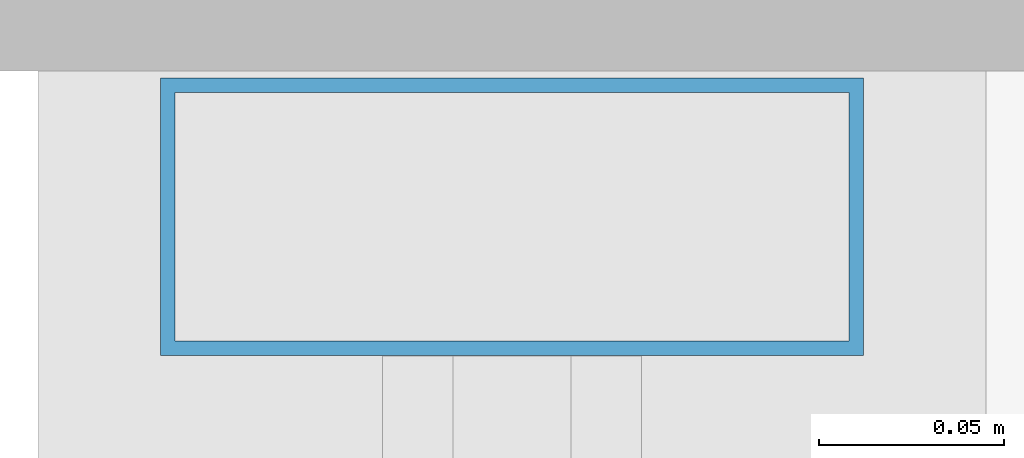
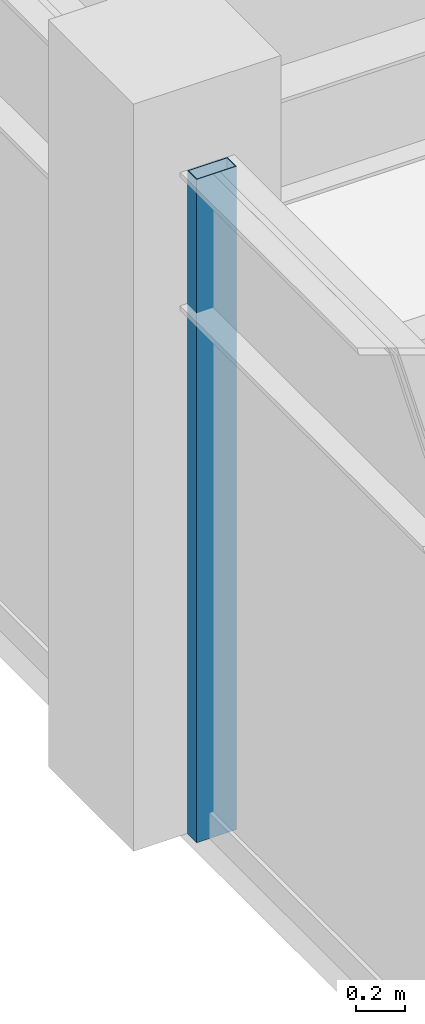
# One storey, part 8 of 31: 1 member, 1 element without a shape of its own.
"""IFC4 building model written with IfcOpenShell, lengths in metres."""

import ifcopenshell
import ifcopenshell.guid

model = None  # the IFC model being written
_history = None  # IfcOwnerHistory: only IFC2X3 demands one
_inside = {}  # id of a spatial element -> (the spatial element, [elements in it])
_under = {}  # id of a project, library or spatial element -> (it, [spatial elements below it])
_declared = {}  # id of a project -> (the project, [libraries it declares])
_typed = {}  # id of a type object -> (the type object, [elements of that type])
_made_of = {}  # id of a material, layer set ... -> (it, [elements and type objects made of it])


def new_model(schema):
    """Start an empty IFC model of exactly this schema.

    Asked for "IFC4X3", IfcOpenShell would pick the latest addendum, in which some entities
    have other attributes; the version numbers below select the first issue.
    IFC2X3 requires an IfcOwnerHistory on every rooted entity: one is made here for all.
    """
    global model, _history
    if schema == "IFC4X3":
        model = ifcopenshell.file(schema_version=(4, 3, 0, 0))
    else:
        model = ifcopenshell.file(schema=schema)
    _inside.clear()
    _under.clear()
    _declared.clear()
    _typed.clear()
    _made_of.clear()
    _history = None
    if model.schema == "IFC2X3":
        org = make("IfcOrganization", Name="unknown")
        user = make(
            "IfcPersonAndOrganization",
            ThePerson=make("IfcPerson", FamilyName="unknown"),
            TheOrganization=org,
        )
        app = make(
            "IfcApplication",
            ApplicationDeveloper=org,
            Version="unknown",
            ApplicationFullName="unknown",
            ApplicationIdentifier="unknown",
        )
        _history = make(
            "IfcOwnerHistory",
            OwningUser=user,
            OwningApplication=app,
            ChangeAction="ADDED",
            CreationDate=0,
        )
    return model


def make(cls, **values):
    """One entity of the class cls with the attributes given. An attribute that is None is left unset."""
    return model.create_entity(
        cls, **{name: value for name, value in values.items() if value is not None}
    )


def rooted(cls, **values):
    """An entity with a GlobalId (a new one), such as an element, a storey or a relation."""
    return make(cls, GlobalId=ifcopenshell.guid.new(), OwnerHistory=_history, **values)


def si_unit(unit_type, name, prefix=None):
    """IfcSIUnit, for example si_unit("LENGTHUNIT", "METRE", prefix="MILLI")."""
    return make("IfcSIUnit", UnitType=unit_type, Prefix=prefix, Name=name)


def assignment(units):
    """IfcUnitAssignment: the units of a project."""
    return None if units is None else make("IfcUnitAssignment", Units=units)


def point(xyz):
    """IfcCartesianPoint."""
    return None if xyz is None else make("IfcCartesianPoint", Coordinates=xyz)


def direction(xyz):
    """IfcDirection."""
    return None if xyz is None else make("IfcDirection", DirectionRatios=xyz)


def frame(location, z_axis=None, x_axis=None):
    """IfcAxis2Placement3D, a coordinate frame: its origin and axes. An axis left out is left unset."""
    return make(
        "IfcAxis2Placement3D",
        Location=point(location),
        Axis=direction(z_axis),
        RefDirection=direction(x_axis),
    )


def frame_2d(location, x_axis=None):
    """IfcAxis2Placement2D, a coordinate frame in the plane: its origin and x axis."""
    return make(
        "IfcAxis2Placement2D", Location=point(location), RefDirection=direction(x_axis)
    )


def origin():
    """The frame at (0, 0, 0) with its axes left unset."""
    return frame((0.0, 0.0, 0.0))


def origin_2d():
    """The frame at (0, 0) in the plane with its x axis left unset."""
    return frame_2d((0.0, 0.0))


def place(relative_to, where):
    """IfcLocalPlacement: puts the frame where relative to a parent placement (None: the world)."""
    return make(
        "IfcLocalPlacement", PlacementRelTo=relative_to, RelativePlacement=where
    )


def context(
    kind, dimensions, precision=None, world=None, true_north=None, identifier=None
):
    """IfcGeometricRepresentationContext, for example the 3D "Model" context."""
    return make(
        "IfcGeometricRepresentationContext",
        ContextIdentifier=identifier,
        ContextType=kind,
        CoordinateSpaceDimension=dimensions,
        Precision=precision,
        WorldCoordinateSystem=world,
        TrueNorth=true_north,
    )


def subcontext(parent, identifier, kind, view, scale=None):
    """IfcGeometricRepresentationSubContext, for example "Body" below "Model"."""
    return make(
        "IfcGeometricRepresentationSubContext",
        ContextIdentifier=identifier,
        ContextType=kind,
        ParentContext=parent,
        TargetScale=scale,
        TargetView=view,
    )


def project(units=None, contexts=None):
    """IfcProject with its units and contexts."""
    return rooted(
        "IfcProject",
        Name="project",
        RepresentationContexts=contexts,
        UnitsInContext=assignment(units),
    )


def spatial(cls, under=None, at=None, **own):
    """A site, building, storey or space (cls), placed at a placement, below another one or the project."""
    s = rooted(cls, ObjectPlacement=at, **own)
    if under is not None:
        _under.setdefault(under.id(), (under, []))[1].append(s)
    return s


def profile(cls, at=None, kind="AREA", **sizes):
    """A parametric profile (cls). Its sizes go by their IFC names, for example OverallWidth=200.0."""
    return make(cls, ProfileType=kind, Position=at, **sizes)


def hollow_rectangle(**sizes):
    """IfcRectangleHollowProfileDef."""
    return profile("IfcRectangleHollowProfileDef", **sizes)


def extrude(swept, where, along, depth):
    """IfcExtrudedAreaSolid: the profile swept, set in the frame where, extruded along a direction by depth."""
    return make(
        "IfcExtrudedAreaSolid",
        SweptArea=swept,
        Position=where,
        ExtrudedDirection=direction(along),
        Depth=depth,
    )


def shape(context_of_items, identifier, shape_type, items):
    """IfcShapeRepresentation: the items that make up one representation, for example the "Body"."""
    return make(
        "IfcShapeRepresentation",
        ContextOfItems=context_of_items,
        RepresentationIdentifier=identifier,
        RepresentationType=shape_type,
        Items=items,
    )


def material(Name=None, Category=None):
    """IfcMaterial."""
    return make("IfcMaterial", Name=Name, Category=Category)


def layer(
    of_material, thickness, ventilated=None, Name=None, Category=None, Priority=None
):
    """IfcMaterialLayer: one layer of a wall or slab, of a material (None: an air gap)."""
    return make(
        "IfcMaterialLayer",
        Material=of_material,
        LayerThickness=thickness,
        IsVentilated=ventilated,
        Name=Name,
        Category=Category,
        Priority=Priority,
    )


def layer_set(layers, Name=None):
    """IfcMaterialLayerSet."""
    return make("IfcMaterialLayerSet", MaterialLayers=layers, LayerSetName=Name)


def material_profile(
    of_material, cross_section, Name=None, Category=None, Priority=None
):
    """IfcMaterialProfile: a cross section and its material."""
    return make(
        "IfcMaterialProfile",
        Name=Name,
        Material=of_material,
        Profile=cross_section,
        Priority=Priority,
        Category=Category,
    )


def profile_set(profiles, Name=None, composite=None):
    """IfcMaterialProfileSet."""
    return make(
        "IfcMaterialProfileSet",
        Name=Name,
        MaterialProfiles=profiles,
        CompositeProfile=composite,
    )


def made_of(thing, what):
    """Note that an element or type object is made of a material, layer set ...; save() writes the relation."""
    if what is not None:
        _made_of.setdefault(what.id(), (what, []))[1].append(thing)
    return thing


def type_object(cls, material=None, **own):
    """A type object (cls), such as IfcWallType, which elements share."""
    return made_of(rooted(cls, **own), material)


def element(
    cls,
    number,
    at=None,
    inside=None,
    cuts=None,
    type_object=None,
    material=None,
    context=None,
    identifier="Body",
    shape_type=None,
    held_by="IfcProductDefinitionShape",
    body=None,
    shapes=None,
    **own,
):
    """One element of the class cls, such as IfcWall. Its Tag is "e" and its number.

    at: its placement. inside: the storey or other place that contains it. cuts: it is an
    opening in that element (IfcRelVoidsElement). A single representation is given by context,
    identifier, shape_type and body (its items); several are given by shapes. held_by: the class
    of the entity that holds the representations. save() writes the other relations.
    """
    e = rooted(cls, Tag="e%d" % number, ObjectPlacement=at, **own)
    if body is not None:
        shapes = [shape(context, identifier, shape_type, body)]
    if shapes is not None:
        e.Representation = make(held_by, Representations=shapes)
    if inside is not None:
        _inside.setdefault(inside.id(), (inside, []))[1].append(e)
    if cuts is not None:
        rooted(
            "IfcRelVoidsElement", RelatingBuildingElement=cuts, RelatedOpeningElement=e
        )
    if type_object is not None:
        _typed.setdefault(type_object.id(), (type_object, []))[1].append(e)
    return made_of(e, material)


def aggregate(whole, parts):
    """IfcRelAggregates: a whole, such as a stair, and the parts it consists of."""
    return rooted("IfcRelAggregates", RelatingObject=whole, RelatedObjects=parts)


def save(model, path):
    """Write the relations noted so far, then the file.

    IfcRelAggregates (storeys below a building ...), IfcRelContainedInSpatialStructure (elements
    in a storey), IfcRelDefinesByType, IfcRelAssociatesMaterial and IfcRelDeclares: one each for
    every whole, place, type object, material and project.
    """
    for whole, parts in _under.values():
        aggregate(whole, parts)
    for where, things in _inside.values():
        rooted(
            "IfcRelContainedInSpatialStructure",
            RelatedElements=things,
            RelatingStructure=where,
        )
    for kind, things in _typed.values():
        rooted("IfcRelDefinesByType", RelatedObjects=things, RelatingType=kind)
    for what, things in _made_of.values():
        rooted("IfcRelAssociatesMaterial", RelatedObjects=things, RelatingMaterial=what)
    for by, libraries in _declared.values():
        rooted("IfcRelDeclares", RelatingContext=by, RelatedDefinitions=libraries)
    model.write(path)


model = new_model("IFC4")

# Units and contexts
model_context = context("Model", 3, precision=1e-05, world=origin(), true_north=direction((0.0, 1.0)))
body_context = subcontext(model_context, "Body", "Model", "MODEL_VIEW")
ifc_project = project(units=[si_unit("LENGTHUNIT", "METRE"), si_unit("AREAUNIT", "SQUARE_METRE"), si_unit("VOLUMEUNIT", "CUBIC_METRE"), si_unit("PLANEANGLEUNIT", "RADIAN"), si_unit("MASSUNIT", "GRAM", prefix="KILO")], contexts=[model_context])

# Site, building, storey
site_placement = place(None, origin())
site = spatial("IfcSite", under=ifc_project, at=site_placement, CompositionType="ELEMENT")
building_placement = place(site_placement, origin())
building = spatial("IfcBuilding", under=site, at=building_placement, Name="Surkhivell Harbour Commons", CompositionType="ELEMENT")
storey_placement = place(building_placement, frame((0.0, 0.0, 333.75)))
storey = spatial("IfcBuildingStorey", under=building, at=storey_placement, Name="L87", CompositionType="ELEMENT", Elevation=333.75)

# Curtain wall, member
ifc_material_1 = material(Name="Anodised pale-metal aluminium and insulated glazing", Category="aluminium")
ifc_layer = layer(ifc_material_1, 0.175048828125)
ifc_layer_set = layer_set([ifc_layer], Name="Anodised pale-metal aluminium and insulated glazing")
curtain_wall_type = type_object("IfcCurtainWallType", Name="CW-SYS-Z4", PredefinedType="NOTDEFINED", material=ifc_layer_set)
curtain_wall_placement = place(storey_placement, origin())
curtain_wall = element("IfcCurtainWall", 1, at=curtain_wall_placement, inside=storey, type_object=curtain_wall_type, Name="L87 Curtain Wall CW-L87-E12S1", PredefinedType="NOTDEFINED")
ifc_material_2 = material(Name="Anodised pale-metal aluminium alloy 6063-T6", Category="aluminium")
ifc_material_profile = material_profile(ifc_material_2, hollow_rectangle(XDim=0.074951171875, YDim=0.18994140625, WallThickness=0.00390625, at=origin_2d()), Name="ALU-MULL-75x190")
ifc_profile_set = profile_set([ifc_material_profile], Name="Anodised pale-metal aluminium alloy 6063-T6")
member_type = type_object("IfcMemberType", Name="CWM-190", PredefinedType="MULLION", material=ifc_profile_set)
member_placement = place(storey_placement, frame((-27.0, -0.389404296875, 0.0), z_axis=(0.0, 0.0, 1.0), x_axis=(0.0, -1.0, 0.0)))
member = element("IfcMember", 2, at=member_placement, type_object=member_type, Name="CW-Z4 mullion 5", PredefinedType="MULLION", context=body_context, shape_type="SweptSolid", body=[
    extrude(hollow_rectangle(XDim=0.074951171875, YDim=0.18994140625, WallThickness=0.00390625, at=origin_2d()), origin(), (0.0, 0.0, 1.0), 3.330078125),
])
aggregate(curtain_wall, [member])

save(model, "model.ifc")
